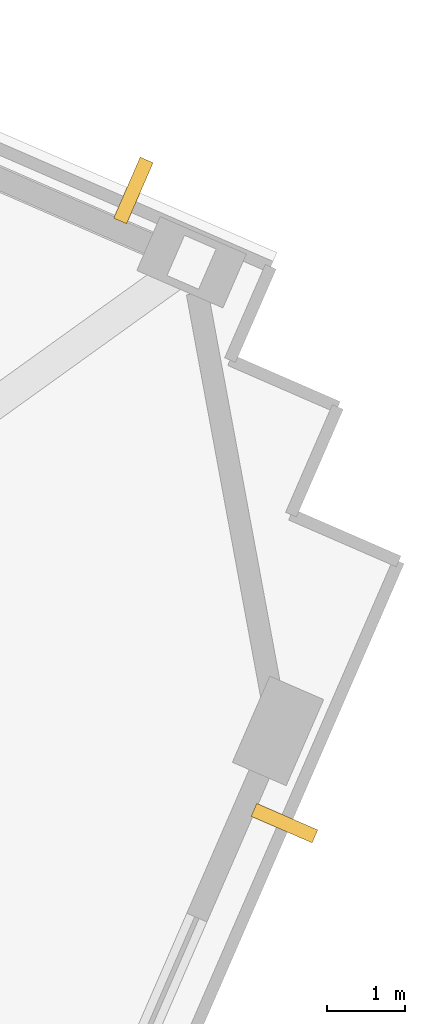
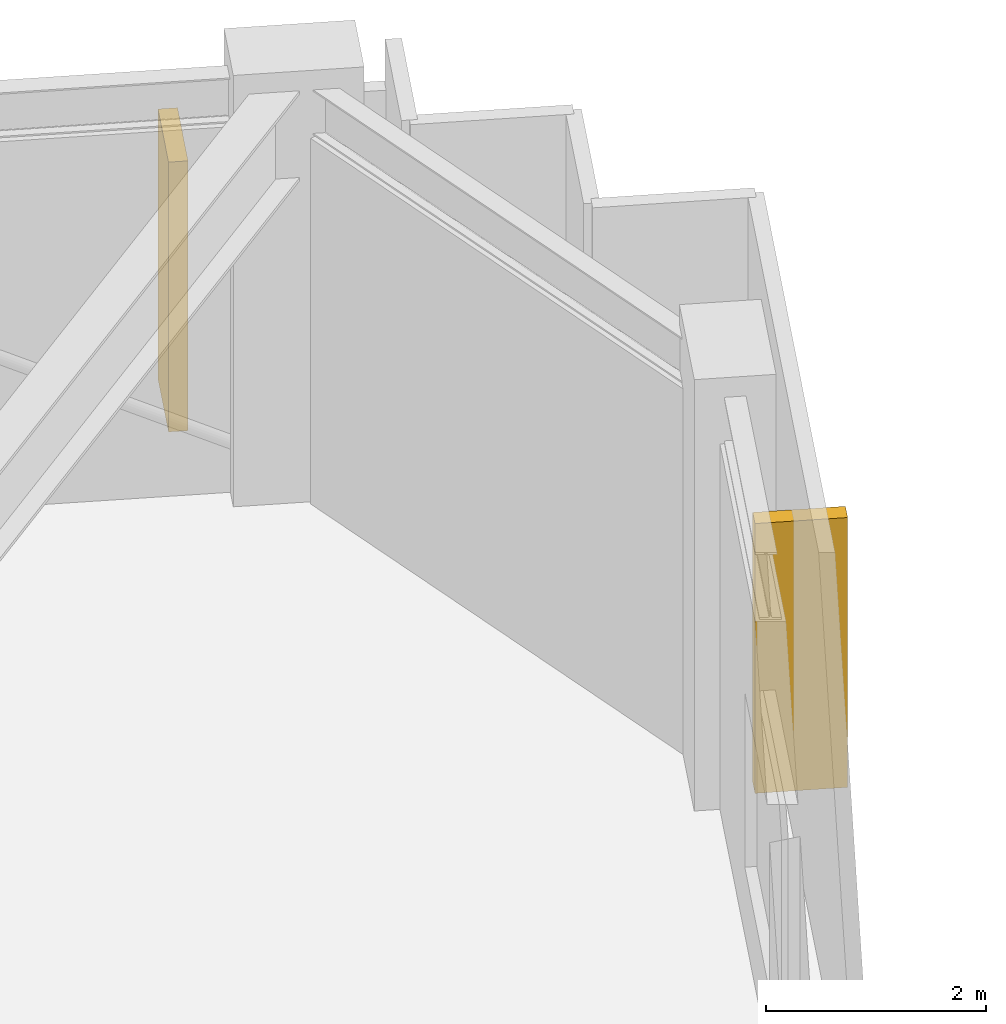
# One storey, part 11 of 11: 2 shading devices.
"""IFC4 building model written with IfcOpenShell, lengths in metres."""

from ifc_helpers import new_model, si_unit, direction, frame, origin, origin_2d, place, context, subcontext, project, spatial, rectangle, extrude, material, type_object, element, save


model = new_model("IFC4")

# Units and contexts
model_context = context("Model", 3, precision=1e-05, world=origin(), true_north=direction((0.0, 1.0)))
body_context = subcontext(model_context, "Body", "Model", "MODEL_VIEW")
ifc_project = project(units=[si_unit("LENGTHUNIT", "METRE"), si_unit("AREAUNIT", "SQUARE_METRE"), si_unit("VOLUMEUNIT", "CUBIC_METRE"), si_unit("PLANEANGLEUNIT", "RADIAN"), si_unit("MASSUNIT", "GRAM", prefix="KILO")], contexts=[model_context])

# Site, building, storey
site_placement = place(None, origin())
site = spatial("IfcSite", under=ifc_project, at=site_placement, CompositionType="ELEMENT")
building_placement = place(site_placement, origin())
building = spatial("IfcBuilding", under=site, at=building_placement, Name="Gaonmaruhae Medical Tower", CompositionType="ELEMENT")
storey_placement = place(building_placement, frame((0.0, 0.0, 328.60009765625)))
storey = spatial("IfcBuildingStorey", under=building, at=storey_placement, Name="L79", CompositionType="ELEMENT", Elevation=328.60009765625)

# Shading devices
ifc_material = material(Name="Pigmented coral precast concrete C45/55", Category="concrete")
shading_device_type = type_object("IfcShadingDeviceType", Name="SD-FIN1 Tower Vertical Coral Precast Shading Fin", PredefinedType="USERDEFINED", material=ifc_material)
for number, where, z_axis, x_axis, name in (
    (1, (58.712158203125, 25.3876953125, 0.532470703125), (0.0, 0.0, 1.0), (-0.398749068925, -0.917060074385, 0.0), "L79 Vertical Coral Precast Shading Fin S05"),
    (2, (56.782470703125, 33.47021484375, 0.532470703125), (0.0, 0.0, 1.0), (0.917060074385, -0.398749068925, 0.0), "L79 Vertical Coral Precast Shading Fin E01B"),
):
    element("IfcShadingDevice", number, at=place(storey_placement, frame(where, z_axis=z_axis, x_axis=x_axis)), inside=storey, type_object=shading_device_type, Name=name, ObjectType="FIN", PredefinedType="USERDEFINED", context=body_context, shape_type="SweptSolid", body=[
        extrude(rectangle(XDim=0.179931640625, YDim=0.85009765625, at=origin_2d()), origin(), (0.0, 0.0, 1.0), 3.0),
    ])

save(model, "model.ifc")
